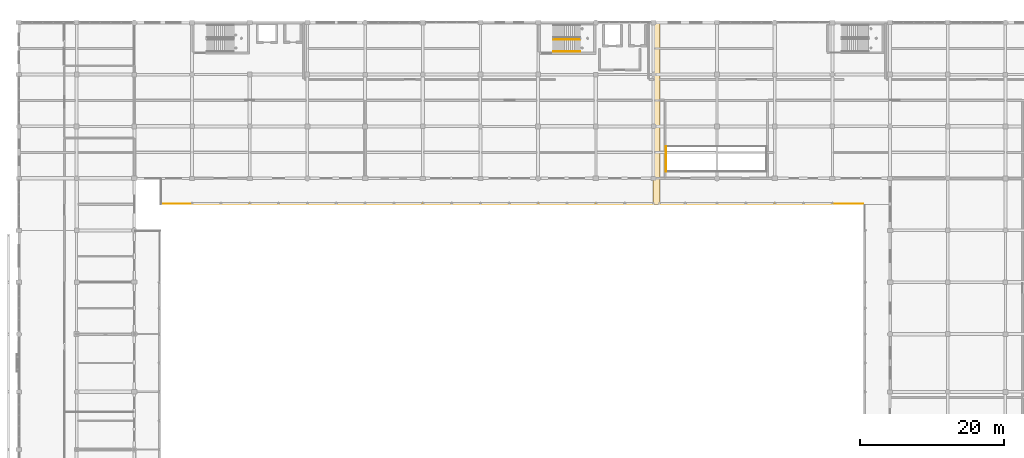
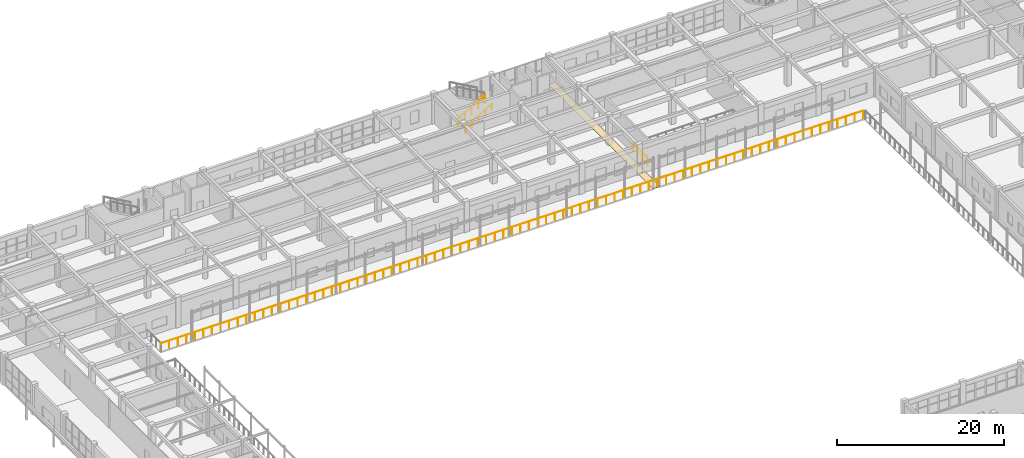
# One storey, part 154 of 160: 4 railings, 2 coverings.
"""IFC4 building model written with IfcOpenShell, lengths in metres."""

from ifc_helpers import new_model, si_unit, direction, frame, origin, origin_2d, place, context, subcontext, project, spatial, polyline, circle, outline, extrude, material, layer, layer_set, type_object, element, save


model = new_model("IFC4")

# Units and contexts
model_context = context("Model", 3, precision=1e-05, world=origin(), true_north=direction((0.0, 1.0)))
body_context = subcontext(model_context, "Body", "Model", "MODEL_VIEW")
ifc_project = project(units=[si_unit("LENGTHUNIT", "METRE"), si_unit("AREAUNIT", "SQUARE_METRE"), si_unit("VOLUMEUNIT", "CUBIC_METRE"), si_unit("PLANEANGLEUNIT", "RADIAN"), si_unit("MASSUNIT", "GRAM", prefix="KILO")], contexts=[model_context])

# Site, building, storey
site_placement = place(None, origin())
site = spatial("IfcSite", under=ifc_project, at=site_placement, CompositionType="ELEMENT")
building_placement = place(site_placement, origin())
building = spatial("IfcBuilding", under=site, at=building_placement, Name="Kharva Crest Polytechnic", CompositionType="ELEMENT")
storey_placement = place(building_placement, frame((0.0, 0.0, 4.5)))
storey = spatial("IfcBuildingStorey", under=building, at=storey_placement, Name="L01", CompositionType="ELEMENT", Elevation=4.5)

# Coverings
ifc_material_1 = material(Name="Anodised aluminium", Category="aluminium")
ifc_layer = layer(ifc_material_1, 0.030029296875, Name="Anodised aluminium")
ifc_layer_set = layer_set([ifc_layer], Name="Anodised aluminium")
covering_type = type_object("IfcCoveringType", Name="COV-SEISMIC-JOINT", PredefinedType="FLOORING", material=ifc_layer_set)
covering_1_placement = place(storey_placement, frame((0.0, 0.0, -0.030029296875)))
element("IfcCovering", 1, at=covering_1_placement, inside=storey, type_object=covering_type, Name="L01 Seismic Expansion Joint Floor Cover N_LAB", PredefinedType="FLOORING", context=body_context, shape_type="SweptSolid", body=[
    extrude(outline(polyline([(119.89990234375, 100.39990234375), (120.89990234375, 100.39990234375), (120.89990234375, 122.0), (119.89990234375, 122.0), (119.89990234375, 100.39990234375)])), origin(), (0.0, 0.0, 1.0), 0.030029296875),
])
covering_2_placement = place(storey_placement, frame((0.0, 0.0, -0.030029296875)))
element("IfcCovering", 2, at=covering_2_placement, inside=storey, type_object=covering_type, Name="L01 Veranda Expansion Joint Floor Cover VER_N_L01", PredefinedType="FLOORING", context=body_context, shape_type="SweptSolid", body=[
    extrude(outline(polyline([(119.89990234375, 96.800048828125), (120.89990234375, 96.800048828125), (120.89990234375, 100.39990234375), (119.89990234375, 100.39990234375), (119.89990234375, 96.800048828125)])), origin(), (0.0, 0.0, 1.0), 0.030029296875),
])

# Railings
railing_type_1 = type_object("IfcRailingType", Name="RL-BALUSTRADE-1200", PredefinedType="BALUSTRADE", material=ifc_material_1)
railing_1_placement = place(storey_placement, frame((51.659912109375, 96.8798828125, 0.0)))
element("IfcRailing", 3, at=railing_1_placement, inside=storey, type_object=railing_type_1, Name="L01 VER_N_L01 S Balustrade 6", PredefinedType="BALUSTRADE", context=body_context, shape_type="SweptSolid", body=[
    extrude(circle(Radius=0.02392578125, at=origin_2d()), frame((0.0, 0.0, 1.17578125), z_axis=(1.0, 0.0, 0.0), x_axis=(0.0, 1.0, 0.0)), (0.0, 0.0, 1.0), 97.42529296875),
    extrude(circle(Radius=0.02099609375, at=origin_2d()), origin(), (0.0, 0.0, 1.0), 1.15185546875),
    extrude(circle(Radius=0.02099609375, at=origin_2d()), frame((1.188232421875, 0.0, 0.0)), (0.0, 0.0, 1.0), 1.15185546875),
    extrude(circle(Radius=0.02099609375, at=origin_2d()), frame((2.376220703125, 0.0, 0.0)), (0.0, 0.0, 1.0), 1.15185546875),
    extrude(circle(Radius=0.02099609375, at=origin_2d()), frame((3.564453125, 0.0, 0.0)), (0.0, 0.0, 1.0), 1.15185546875),
    extrude(circle(Radius=0.02099609375, at=origin_2d()), frame((4.75244140625, 0.0, 0.0)), (0.0, 0.0, 1.0), 1.15185546875),
    extrude(circle(Radius=0.02099609375, at=origin_2d()), frame((5.940673828125, 0.0, 0.0)), (0.0, 0.0, 1.0), 1.15185546875),
    extrude(circle(Radius=0.02099609375, at=origin_2d()), frame((7.128662109375, 0.0, 0.0)), (0.0, 0.0, 1.0), 1.15185546875),
    extrude(circle(Radius=0.02099609375, at=origin_2d()), frame((8.31689453125, 0.0, 0.0)), (0.0, 0.0, 1.0), 1.15185546875),
    extrude(circle(Radius=0.02099609375, at=origin_2d()), frame((9.5048828125, 0.0, 0.0)), (0.0, 0.0, 1.0), 1.15185546875),
    extrude(circle(Radius=0.02099609375, at=origin_2d()), frame((10.693115234375, 0.0, 0.0)), (0.0, 0.0, 1.0), 1.15185546875),
    extrude(circle(Radius=0.02099609375, at=origin_2d()), frame((11.881103515625, 0.0, 0.0)), (0.0, 0.0, 1.0), 1.15185546875),
    extrude(circle(Radius=0.02099609375, at=origin_2d()), frame((13.0693359375, 0.0, 0.0)), (0.0, 0.0, 1.0), 1.15185546875),
    extrude(circle(Radius=0.02099609375, at=origin_2d()), frame((14.25732421875, 0.0, 0.0)), (0.0, 0.0, 1.0), 1.15185546875),
    extrude(circle(Radius=0.02099609375, at=origin_2d()), frame((15.445556640625, 0.0, 0.0)), (0.0, 0.0, 1.0), 1.15185546875),
    extrude(circle(Radius=0.02099609375, at=origin_2d()), frame((16.633544921875, 0.0, 0.0)), (0.0, 0.0, 1.0), 1.15185546875),
    extrude(circle(Radius=0.02099609375, at=origin_2d()), frame((17.82177734375, 0.0, 0.0)), (0.0, 0.0, 1.0), 1.15185546875),
    extrude(circle(Radius=0.02099609375, at=origin_2d()), frame((19.009765625, 0.0, 0.0)), (0.0, 0.0, 1.0), 1.15185546875),
    extrude(circle(Radius=0.02099609375, at=origin_2d()), frame((20.197998046875, 0.0, 0.0)), (0.0, 0.0, 1.0), 1.15185546875),
    extrude(circle(Radius=0.02099609375, at=origin_2d()), frame((21.385986328125, 0.0, 0.0)), (0.0, 0.0, 1.0), 1.15185546875),
    extrude(circle(Radius=0.02099609375, at=origin_2d()), frame((22.57421875, 0.0, 0.0)), (0.0, 0.0, 1.0), 1.15185546875),
    extrude(circle(Radius=0.02099609375, at=origin_2d()), frame((23.76220703125, 0.0, 0.0)), (0.0, 0.0, 1.0), 1.15185546875),
    extrude(circle(Radius=0.02099609375, at=origin_2d()), frame((24.950439453125, 0.0, 0.0)), (0.0, 0.0, 1.0), 1.15185546875),
    extrude(circle(Radius=0.02099609375, at=origin_2d()), frame((26.138427734375, 0.0, 0.0)), (0.0, 0.0, 1.0), 1.15185546875),
    extrude(circle(Radius=0.02099609375, at=origin_2d()), frame((27.32666015625, 0.0, 0.0)), (0.0, 0.0, 1.0), 1.15185546875),
    extrude(circle(Radius=0.02099609375, at=origin_2d()), frame((28.5146484375, 0.0, 0.0)), (0.0, 0.0, 1.0), 1.15185546875),
    extrude(circle(Radius=0.02099609375, at=origin_2d()), frame((29.702880859375, 0.0, 0.0)), (0.0, 0.0, 1.0), 1.15185546875),
    extrude(circle(Radius=0.02099609375, at=origin_2d()), frame((30.890869140625, 0.0, 0.0)), (0.0, 0.0, 1.0), 1.15185546875),
    extrude(circle(Radius=0.02099609375, at=origin_2d()), frame((32.0791015625, 0.0, 0.0)), (0.0, 0.0, 1.0), 1.15185546875),
    extrude(circle(Radius=0.02099609375, at=origin_2d()), frame((33.26708984375, 0.0, 0.0)), (0.0, 0.0, 1.0), 1.15185546875),
    extrude(circle(Radius=0.02099609375, at=origin_2d()), frame((34.455322265625, 0.0, 0.0)), (0.0, 0.0, 1.0), 1.15185546875),
    extrude(circle(Radius=0.02099609375, at=origin_2d()), frame((35.643310546875, 0.0, 0.0)), (0.0, 0.0, 1.0), 1.15185546875),
    extrude(circle(Radius=0.02099609375, at=origin_2d()), frame((36.83154296875, 0.0, 0.0)), (0.0, 0.0, 1.0), 1.15185546875),
    extrude(circle(Radius=0.02099609375, at=origin_2d()), frame((38.01953125, 0.0, 0.0)), (0.0, 0.0, 1.0), 1.15185546875),
    extrude(circle(Radius=0.02099609375, at=origin_2d()), frame((39.207763671875, 0.0, 0.0)), (0.0, 0.0, 1.0), 1.15185546875),
    extrude(circle(Radius=0.02099609375, at=origin_2d()), frame((40.395751953125, 0.0, 0.0)), (0.0, 0.0, 1.0), 1.15185546875),
    extrude(circle(Radius=0.02099609375, at=origin_2d()), frame((41.583984375, 0.0, 0.0)), (0.0, 0.0, 1.0), 1.15185546875),
    extrude(circle(Radius=0.02099609375, at=origin_2d()), frame((42.77197265625, 0.0, 0.0)), (0.0, 0.0, 1.0), 1.15185546875),
    extrude(circle(Radius=0.02099609375, at=origin_2d()), frame((43.960205078125, 0.0, 0.0)), (0.0, 0.0, 1.0), 1.15185546875),
    extrude(circle(Radius=0.02099609375, at=origin_2d()), frame((45.148193359375, 0.0, 0.0)), (0.0, 0.0, 1.0), 1.15185546875),
    extrude(circle(Radius=0.02099609375, at=origin_2d()), frame((46.33642578125, 0.0, 0.0)), (0.0, 0.0, 1.0), 1.15185546875),
    extrude(circle(Radius=0.02099609375, at=origin_2d()), frame((47.5244140625, 0.0, 0.0)), (0.0, 0.0, 1.0), 1.15185546875),
    extrude(circle(Radius=0.02099609375, at=origin_2d()), frame((48.712646484375, 0.0, 0.0)), (0.0, 0.0, 1.0), 1.15185546875),
    extrude(circle(Radius=0.02099609375, at=origin_2d()), frame((49.90087890625, 0.0, 0.0)), (0.0, 0.0, 1.0), 1.15185546875),
    extrude(circle(Radius=0.02099609375, at=origin_2d()), frame((51.0888671875, 0.0, 0.0)), (0.0, 0.0, 1.0), 1.15185546875),
    extrude(circle(Radius=0.02099609375, at=origin_2d()), frame((52.277099609375, 0.0, 0.0)), (0.0, 0.0, 1.0), 1.15185546875),
    extrude(circle(Radius=0.02099609375, at=origin_2d()), frame((53.465087890625, 0.0, 0.0)), (0.0, 0.0, 1.0), 1.15185546875),
    extrude(circle(Radius=0.02099609375, at=origin_2d()), frame((54.6533203125, 0.0, 0.0)), (0.0, 0.0, 1.0), 1.15185546875),
    extrude(circle(Radius=0.02099609375, at=origin_2d()), frame((55.84130859375, 0.0, 0.0)), (0.0, 0.0, 1.0), 1.15185546875),
    extrude(circle(Radius=0.02099609375, at=origin_2d()), frame((57.029541015625, 0.0, 0.0)), (0.0, 0.0, 1.0), 1.15185546875),
    extrude(circle(Radius=0.02099609375, at=origin_2d()), frame((58.217529296875, 0.0, 0.0)), (0.0, 0.0, 1.0), 1.15185546875),
    extrude(circle(Radius=0.02099609375, at=origin_2d()), frame((59.40576171875, 0.0, 0.0)), (0.0, 0.0, 1.0), 1.15185546875),
    extrude(circle(Radius=0.02099609375, at=origin_2d()), frame((60.59375, 0.0, 0.0)), (0.0, 0.0, 1.0), 1.15185546875),
    extrude(circle(Radius=0.02099609375, at=origin_2d()), frame((61.781982421875, 0.0, 0.0)), (0.0, 0.0, 1.0), 1.15185546875),
    extrude(circle(Radius=0.02099609375, at=origin_2d()), frame((62.969970703125, 0.0, 0.0)), (0.0, 0.0, 1.0), 1.15185546875),
    extrude(circle(Radius=0.02099609375, at=origin_2d()), frame((64.158203125, 0.0, 0.0)), (0.0, 0.0, 1.0), 1.15185546875),
    extrude(circle(Radius=0.02099609375, at=origin_2d()), frame((65.34619140625, 0.0, 0.0)), (0.0, 0.0, 1.0), 1.15185546875),
    extrude(circle(Radius=0.02099609375, at=origin_2d()), frame((66.534423828125, 0.0, 0.0)), (0.0, 0.0, 1.0), 1.15185546875),
    extrude(circle(Radius=0.02099609375, at=origin_2d()), frame((67.722412109375, 0.0, 0.0)), (0.0, 0.0, 1.0), 1.15185546875),
    extrude(circle(Radius=0.02099609375, at=origin_2d()), frame((68.91064453125, 0.0, 0.0)), (0.0, 0.0, 1.0), 1.15185546875),
    extrude(circle(Radius=0.02099609375, at=origin_2d()), frame((70.0986328125, 0.0, 0.0)), (0.0, 0.0, 1.0), 1.15185546875),
    extrude(circle(Radius=0.02099609375, at=origin_2d()), frame((71.286865234375, 0.0, 0.0)), (0.0, 0.0, 1.0), 1.15185546875),
    extrude(circle(Radius=0.02099609375, at=origin_2d()), frame((72.474853515625, 0.0, 0.0)), (0.0, 0.0, 1.0), 1.15185546875),
    extrude(circle(Radius=0.02099609375, at=origin_2d()), frame((73.6630859375, 0.0, 0.0)), (0.0, 0.0, 1.0), 1.15185546875),
    extrude(circle(Radius=0.02099609375, at=origin_2d()), frame((74.85107421875, 0.0, 0.0)), (0.0, 0.0, 1.0), 1.15185546875),
    extrude(circle(Radius=0.02099609375, at=origin_2d()), frame((76.039306640625, 0.0, 0.0)), (0.0, 0.0, 1.0), 1.15185546875),
    extrude(circle(Radius=0.02099609375, at=origin_2d()), frame((77.227294921875, 0.0, 0.0)), (0.0, 0.0, 1.0), 1.15185546875),
    extrude(circle(Radius=0.02099609375, at=origin_2d()), frame((78.41552734375, 0.0, 0.0)), (0.0, 0.0, 1.0), 1.15185546875),
    extrude(circle(Radius=0.02099609375, at=origin_2d()), frame((79.603515625, 0.0, 0.0)), (0.0, 0.0, 1.0), 1.15185546875),
    extrude(circle(Radius=0.02099609375, at=origin_2d()), frame((80.791748046875, 0.0, 0.0)), (0.0, 0.0, 1.0), 1.15185546875),
    extrude(circle(Radius=0.02099609375, at=origin_2d()), frame((81.979736328125, 0.0, 0.0)), (0.0, 0.0, 1.0), 1.15185546875),
    extrude(circle(Radius=0.02099609375, at=origin_2d()), frame((83.16796875, 0.0, 0.0)), (0.0, 0.0, 1.0), 1.15185546875),
    extrude(circle(Radius=0.02099609375, at=origin_2d()), frame((84.35595703125, 0.0, 0.0)), (0.0, 0.0, 1.0), 1.15185546875),
    extrude(circle(Radius=0.02099609375, at=origin_2d()), frame((85.544189453125, 0.0, 0.0)), (0.0, 0.0, 1.0), 1.15185546875),
    extrude(circle(Radius=0.02099609375, at=origin_2d()), frame((86.732177734375, 0.0, 0.0)), (0.0, 0.0, 1.0), 1.15185546875),
    extrude(circle(Radius=0.02099609375, at=origin_2d()), frame((87.92041015625, 0.0, 0.0)), (0.0, 0.0, 1.0), 1.15185546875),
    extrude(circle(Radius=0.02099609375, at=origin_2d()), frame((89.1083984375, 0.0, 0.0)), (0.0, 0.0, 1.0), 1.15185546875),
    extrude(circle(Radius=0.02099609375, at=origin_2d()), frame((90.296630859375, 0.0, 0.0)), (0.0, 0.0, 1.0), 1.15185546875),
    extrude(circle(Radius=0.02099609375, at=origin_2d()), frame((91.484619140625, 0.0, 0.0)), (0.0, 0.0, 1.0), 1.15185546875),
    extrude(circle(Radius=0.02099609375, at=origin_2d()), frame((92.6728515625, 0.0, 0.0)), (0.0, 0.0, 1.0), 1.15185546875),
    extrude(circle(Radius=0.02099609375, at=origin_2d()), frame((93.86083984375, 0.0, 0.0)), (0.0, 0.0, 1.0), 1.15185546875),
    extrude(circle(Radius=0.02099609375, at=origin_2d()), frame((95.049072265625, 0.0, 0.0)), (0.0, 0.0, 1.0), 1.15185546875),
    extrude(circle(Radius=0.02099609375, at=origin_2d()), frame((96.237060546875, 0.0, 0.0)), (0.0, 0.0, 1.0), 1.15185546875),
    extrude(circle(Radius=0.02099609375, at=origin_2d()), frame((97.42529296875, 0.0, 0.0)), (0.0, 0.0, 1.0), 1.15185546875),
])
railing_type_2 = type_object("IfcRailingType", Name="RL-STAIR-GUARD-1200", PredefinedType="GUARDRAIL", material=ifc_material_1)
railing_2_placement = place(storey_placement, frame((106.090087890625, 119.669921875, 0.14990234375)))
element("IfcRailing", 4, at=railing_2_placement, inside=storey, type_object=railing_type_2, Name="L01 ST-04 stair guard 1", PredefinedType="GUARDRAIL", context=body_context, shape_type="SweptSolid", body=[
    extrude(circle(Radius=0.02392578125, at=origin_2d()), frame((0.0, 0.0, 1.17578125), z_axis=(0.870244811389, 0.0, 0.492619496418), x_axis=(0.0, 1.0, 0.0)), (0.0, 0.0, 1.0), 4.26318359375),
    extrude(circle(Radius=0.02099609375, at=origin_2d()), origin(), (0.0, 0.0, 1.0), 1.15185546875),
    extrude(circle(Radius=0.02099609375, at=origin_2d()), frame((0.927490234375, 0.0, 0.52490234375)), (0.0, 0.0, 1.0), 1.15185546875),
    extrude(circle(Radius=0.02099609375, at=origin_2d()), frame((1.85498046875, 0.0, 1.050048828125)), (0.0, 0.0, 1.0), 1.15185546875),
    extrude(circle(Radius=0.02099609375, at=origin_2d()), frame((2.782470703125, 0.0, 1.5751953125)), (0.0, 0.0, 1.0), 1.15185546875),
    extrude(circle(Radius=0.02099609375, at=origin_2d()), frame((3.7099609375, 0.0, 2.10009765625)), (0.0, 0.0, 1.0), 1.15185546875),
])
ifc_material_2 = material(Name="Teak timber", Category="wood")
railing_type_3 = type_object("IfcRailingType", Name="RL-STAIR-HAND-900", PredefinedType="HANDRAIL", material=ifc_material_2)
railing_3_placement = place(storey_placement, frame((106.090087890625, 117.989990234375, 0.14990234375)))
element("IfcRailing", 5, at=railing_3_placement, inside=storey, type_object=railing_type_3, Name="L01 ST-04 stair handrail 1", PredefinedType="HANDRAIL", context=body_context, shape_type="SweptSolid", body=[
    extrude(circle(Radius=0.02392578125, at=origin_2d()), frame((0.0, 0.0, 0.8759765625), z_axis=(0.870244811389, 0.0, 0.492619496418), x_axis=(0.0, 1.0, 0.0)), (0.0, 0.0, 1.0), 4.26318359375),
    extrude(circle(Radius=0.02099609375, at=origin_2d()), origin(), (0.0, 0.0, 1.0), 0.851806640625),
    extrude(circle(Radius=0.02099609375, at=origin_2d()), frame((0.927490234375, 0.0, 0.52490234375)), (0.0, 0.0, 1.0), 0.851806640625),
    extrude(circle(Radius=0.02099609375, at=origin_2d()), frame((1.85498046875, 0.0, 1.050048828125)), (0.0, 0.0, 1.0), 0.851806640625),
    extrude(circle(Radius=0.02099609375, at=origin_2d()), frame((2.782470703125, 0.0, 1.5751953125)), (0.0, 0.0, 1.0), 0.851806640625),
    extrude(circle(Radius=0.02099609375, at=origin_2d()), frame((3.7099609375, 0.0, 2.10009765625)), (0.0, 0.0, 1.0), 0.851806640625),
])
railing_type_4 = type_object("IfcRailingType", Name="RL-VOID-GUARD-1200", PredefinedType="GUARDRAIL", material=ifc_material_1)
railing_4_placement = place(storey_placement, frame((121.739990234375, 104.860107421875, 0.0)))
element("IfcRailing", 6, at=railing_4_placement, inside=storey, type_object=railing_type_4, Name="L01 Atrium Void Guard 24", PredefinedType="GUARDRAIL", context=body_context, shape_type="SweptSolid", body=[
    extrude(circle(Radius=0.02392578125, at=origin_2d()), frame((0.0, 0.0, 1.17578125), z_axis=(0.0, -1.0, 0.0), x_axis=(1.0, 0.0, 0.0)), (0.0, 0.0, 1.0), 3.52001953125),
    extrude(circle(Radius=0.02099609375, at=origin_2d()), origin(), (0.0, 0.0, 1.0), 1.15185546875),
    extrude(circle(Radius=0.02099609375, at=origin_2d()), frame((0.0, -1.17333984375, 0.0)), (0.0, 0.0, 1.0), 1.15185546875),
    extrude(circle(Radius=0.02099609375, at=origin_2d()), frame((0.0, -2.3466796875, 0.0)), (0.0, 0.0, 1.0), 1.15185546875),
    extrude(circle(Radius=0.02099609375, at=origin_2d()), frame((0.0, -3.52001953125, 0.0)), (0.0, 0.0, 1.0), 1.15185546875),
])

save(model, "model.ifc")
